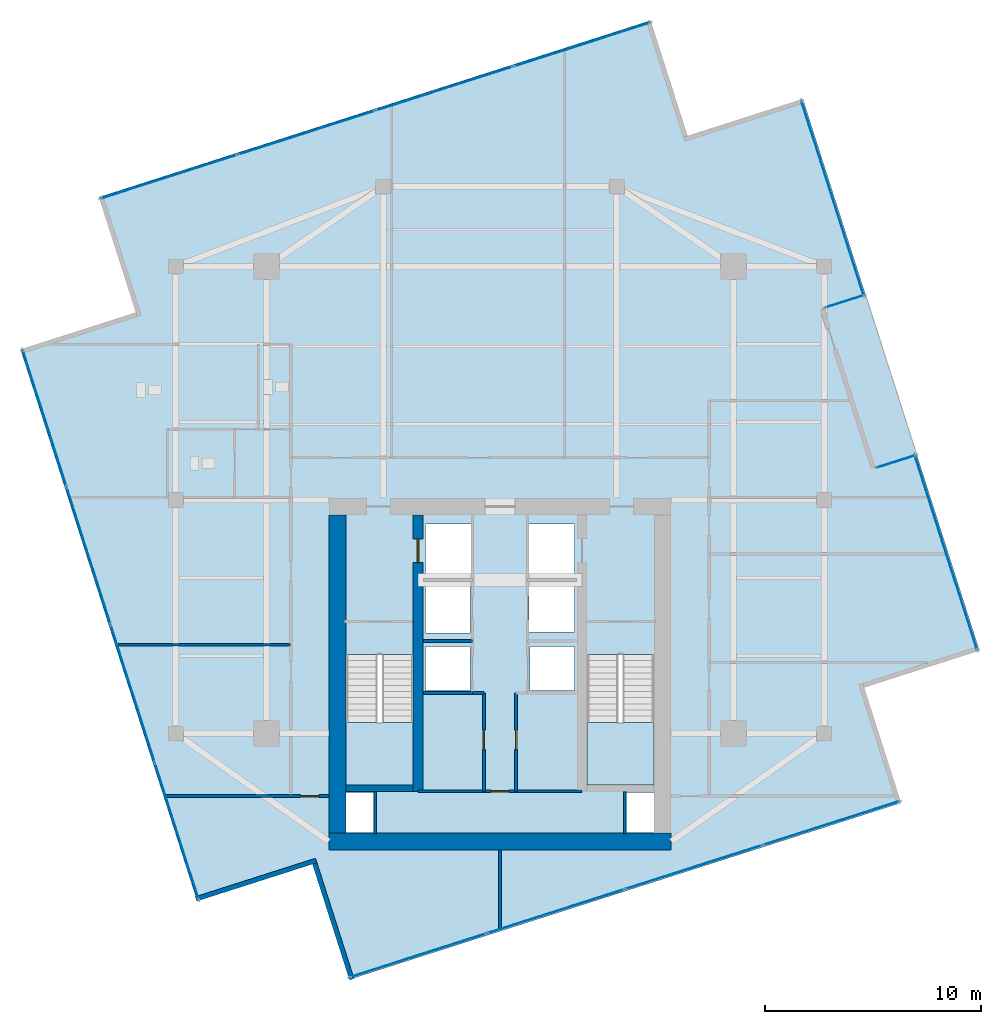
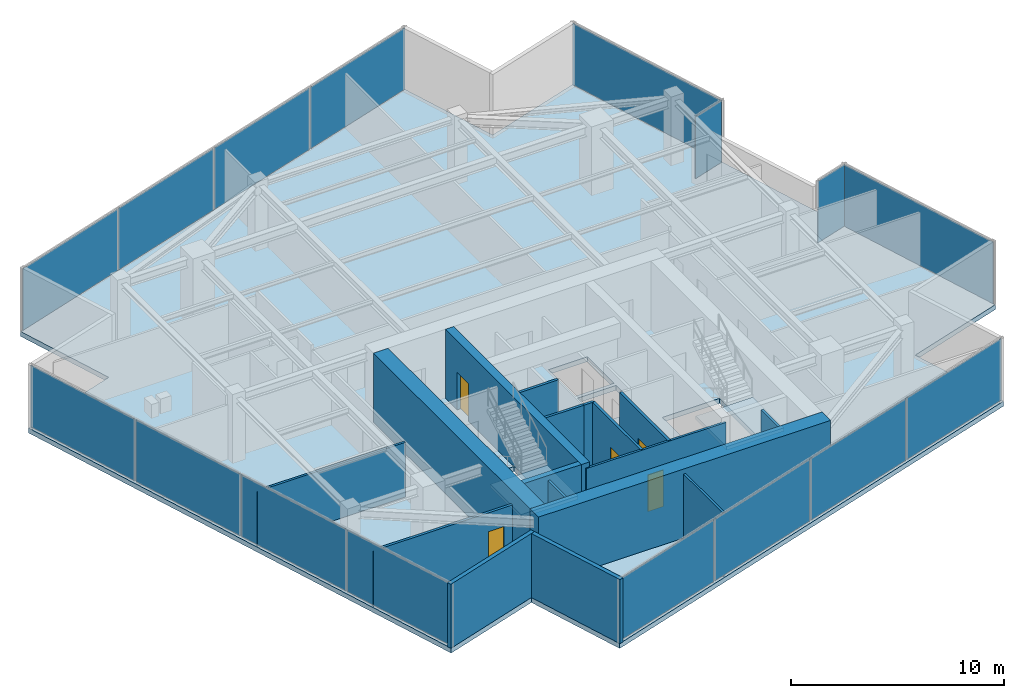
# One storey, part 17 of 21: 17 walls, 16 plates, 5 doors, 3 slabs, 5 openings, 9 elements without a shape of their own.
"""IFC4 building model written with IfcOpenShell, lengths in metres."""

from ifc_helpers import new_model, si_unit, direction, frame, frame_2d, origin, origin_2d, place, context, subcontext, project, spatial, polyline, rectangle, outline, extrude, source, transform, mapped, material, layer, layer_set, type_object, type_shapes, element, fill, aggregate, save


model = new_model("IFC4")

# Units and contexts
model_context = context("Model", 3, precision=1e-05, world=origin(), true_north=direction((0.0, 1.0)))
body_context = subcontext(model_context, "Body", "Model", "MODEL_VIEW")
ifc_project = project(units=[si_unit("LENGTHUNIT", "METRE"), si_unit("AREAUNIT", "SQUARE_METRE"), si_unit("VOLUMEUNIT", "CUBIC_METRE"), si_unit("PLANEANGLEUNIT", "RADIAN"), si_unit("MASSUNIT", "GRAM", prefix="KILO")], contexts=[model_context])

# Site, building, storey
site_placement = place(None, origin())
site = spatial("IfcSite", under=ifc_project, at=site_placement, CompositionType="ELEMENT")
building_placement = place(site_placement, origin())
building = spatial("IfcBuilding", under=site, at=building_placement, Name="Krantzveldt Concourse Tower", CompositionType="ELEMENT")
storey_placement = place(building_placement, frame((0.0, 0.0, 339.550048828125)))
storey = spatial("IfcBuildingStorey", under=building, at=storey_placement, Name="L83", CompositionType="ELEMENT", Elevation=339.550048828125)

# Stair, slab
ifc_material_1 = material(Name="Precast concrete C40/50", Category="concrete")
stair_type = type_object("IfcStairType", Name="STR-CORE-DOGLEG", PredefinedType="HALF_TURN_STAIR", material=ifc_material_1)
stair_1_placement = place(storey_placement, origin())
stair_1 = element("IfcStair", 1, at=stair_1_placement, inside=storey, type_object=stair_type, Name="L83 Protected Escape Stair ST-1", PredefinedType="HALF_TURN_STAIR")
ifc_layer_1 = layer(ifc_material_1, 0.199951171875, Name="Precast concrete C40/50", Category="concrete")
ifc_layer_set_1 = layer_set([ifc_layer_1], Name="Precast concrete C40/50 (SL-LANDING-200)")
slab_type_1 = type_object("IfcSlabType", Name="SL-LANDING-200", PredefinedType="LANDING", material=ifc_layer_set_1)
slab_1_placement = place(storey_placement, frame((0.0, 0.0, 1.77490234375)))
slab_1 = element("IfcSlab", 2, at=slab_1_placement, type_object=slab_type_1, Name="ST-1 landing 1", PredefinedType="LANDING", context=body_context, shape_type="SweptSolid", body=[
    extrude(outline(polyline([(28.8798828125, 16.4150390625), (28.8798828125, 13.52001953125), (31.97998046875, 13.52001953125), (31.97998046875, 16.4150390625), (28.8798828125, 16.4150390625)])), origin(), (0.0, 0.0, 1.0), 0.199951171875),
])
aggregate(stair_1, [slab_1])

stair_2_placement = place(storey_placement, origin())
stair_2 = element("IfcStair", 3, at=stair_2_placement, inside=storey, type_object=stair_type, Name="L83 Protected Escape Stair ST-2", PredefinedType="HALF_TURN_STAIR")
slab_2_placement = place(storey_placement, frame((0.0, 0.0, 1.77490234375)))
slab_2 = element("IfcSlab", 4, at=slab_2_placement, type_object=slab_type_1, Name="ST-2 landing 1", PredefinedType="LANDING", context=body_context, shape_type="SweptSolid", body=[
    extrude(outline(polyline([(40.02001953125, 16.4150390625), (40.02001953125, 13.52001953125), (43.1201171875, 13.52001953125), (43.1201171875, 16.4150390625), (40.02001953125, 16.4150390625)])), origin(), (0.0, 0.0, 1.0), 0.199951171875),
])
aggregate(stair_2, [slab_2])

# Slab
ifc_material_2 = material(Name="Concrete C40/50", Category="concrete")
ifc_layer_2 = layer(ifc_material_2, 0.280029296875, Name="Concrete C40/50", Category="concrete")
ifc_layer_set_2 = layer_set([ifc_layer_2], Name="Concrete C40/50 (SL-SL-TER280)")
slab_type_2 = type_object("IfcSlabType", Name="SL-SL-TER280", PredefinedType="FLOOR", material=ifc_layer_set_2)
slab_3_placement = place(storey_placement, frame((0.0, 0.0, -0.280029296875)))
element("IfcSlab", 5, at=slab_3_placement, inside=storey, type_object=slab_type_2, Name="SL-L83-MAIN", PredefinedType="FLOOR", context=body_context, shape_type="SweptSolid", body=[
    extrude(outline(polyline([(44.677001953125, 43.54736328125), (42.9697265625, 48.880615234375), (17.445556640625, 40.71044921875), (19.15283203125, 35.376953125), (13.8193359375, 33.669677734375), (21.98974609375, 8.1455078125), (27.322998046875, 9.852783203125), (29.0302734375, 4.519287109375), (54.554443359375, 12.689697265625), (52.84716796875, 18.023193359375), (58.1806640625, 19.730224609375), (50.01025390625, 45.254638671875), (44.677001953125, 43.54736328125)]), holes=[polyline([(28.8798828125, 19.547607421875), (28.8798828125, 13.52001953125), (31.97998046875, 13.52001953125), (31.97998046875, 19.547607421875), (28.8798828125, 19.547607421875)]), polyline([(40.02001953125, 19.547607421875), (40.02001953125, 13.52001953125), (43.1201171875, 13.52001953125), (43.1201171875, 19.547607421875), (40.02001953125, 19.547607421875)]), polyline([(32.550048828125, 23.10009765625), (34.64990234375, 23.10009765625), (34.64990234375, 25.60009765625), (32.550048828125, 25.60009765625), (32.550048828125, 23.10009765625)]), polyline([(37.35009765625, 23.10009765625), (39.449951171875, 23.10009765625), (39.449951171875, 25.60009765625), (37.35009765625, 25.60009765625), (37.35009765625, 23.10009765625)]), polyline([(37.35009765625, 20.60009765625), (39.449951171875, 20.60009765625), (39.449951171875, 22.89990234375), (37.35009765625, 22.89990234375), (37.35009765625, 20.60009765625)]), polyline([(32.550048828125, 20.550048828125), (34.6201171875, 20.550048828125), (34.6201171875, 22.89990234375), (32.550048828125, 22.89990234375), (32.550048828125, 20.550048828125)]), polyline([(32.550048828125, 17.8798828125), (34.6201171875, 17.8798828125), (34.6201171875, 19.919921875), (32.550048828125, 19.919921875), (32.550048828125, 17.8798828125)]), polyline([(37.3798828125, 17.8798828125), (39.449951171875, 17.8798828125), (39.449951171875, 19.919921875), (37.3798828125, 19.919921875), (37.3798828125, 17.8798828125)]), polyline([(28.8798828125, 11.320068359375), (30.139892578125, 11.320068359375), (30.139892578125, 13.159912109375), (28.8798828125, 13.159912109375), (28.8798828125, 11.320068359375)]), polyline([(41.860107421875, 11.320068359375), (43.1201171875, 11.320068359375), (43.1201171875, 13.159912109375), (41.860107421875, 13.159912109375), (41.860107421875, 11.320068359375)])]), origin(), (0.0, 0.0, 1.0), 0.280029296875),
])

# Curtain wall, plate
ifc_material_3 = material(Name="Anodised aluminium 6063-T6", Category="aluminium")
curtain_wall_type_1 = type_object("IfcCurtainWallType", Name="CW6", PredefinedType="USERDEFINED", material=ifc_material_3)
curtain_wall_1_placement = place(storey_placement, origin())
curtain_wall_1 = element("IfcCurtainWall", 6, at=curtain_wall_1_placement, inside=storey, type_object=curtain_wall_type_1, Name="CW-L83-TR11", ObjectType="UNITISED CURTAIN WALL", PredefinedType="USERDEFINED")
ifc_material_4 = material(Name="Bronze-tinted laminated low-E IGU glass", Category="glass")
ifc_layer_3 = layer(ifc_material_4, 0.031982421875, Name="Bronze-tinted laminated low-E IGU glass", Category="glass")
ifc_layer_set_3 = layer_set([ifc_layer_3], Name="Bronze-tinted laminated low-E IGU glass (CW-GLZ-32)")
plate_type = type_object("IfcPlateType", Name="CW-GLZ-32", PredefinedType="CURTAIN_PANEL", material=ifc_layer_set_3)
shared_shape_1 = source(origin(), body_context, "Body", "SweptSolid", [
    extrude(rectangle(XDim=1.860107421875, YDim=0.031982421875, at=origin_2d()), origin(), (0.0, 0.0, 1.0), 3.530029296875),
])
plate_1_placement = place(storey_placement, frame((54.3291015625, 28.482666015625, 0.06982421875), z_axis=(0.0, 0.0, 1.0), x_axis=(-0.952395521792, -0.304865167035, 0.0)))
plate_1 = element("IfcPlate", 7, at=plate_1_placement, type_object=plate_type, Name="CW-TERR panel 1.1", PredefinedType="CURTAIN_PANEL", context=body_context, shape_type="MappedRepresentation", body=[
    mapped(shared_shape_1, transform((0.0, 0.0, 0.0), x_axis=(1.0, 0.0, 0.0), y_axis=(0.0, 1.0, 0.0), z_axis=(0.0, 0.0, 1.0), scale=1.0)),
])
aggregate(curtain_wall_1, [plate_1])

curtain_wall_2_placement = place(storey_placement, origin())
curtain_wall_2 = element("IfcCurtainWall", 8, at=curtain_wall_2_placement, inside=storey, type_object=curtain_wall_type_1, Name="CW-L83-TR13", ObjectType="UNITISED CURTAIN WALL", PredefinedType="USERDEFINED")
plate_2_placement = place(storey_placement, frame((51.957275390625, 35.892333984375, 0.06982421875), z_axis=(0.0, 0.0, 1.0), x_axis=(0.952395986502, 0.304863715281, 0.0)))
plate_2 = element("IfcPlate", 9, at=plate_2_placement, type_object=plate_type, Name="CW-TERR panel 1.1", PredefinedType="CURTAIN_PANEL", context=body_context, shape_type="MappedRepresentation", body=[
    mapped(shared_shape_1, transform((0.0, 0.0, 0.0), x_axis=(1.0, 0.0, 0.0), y_axis=(0.0, 1.0, 0.0), z_axis=(0.0, 0.0, 1.0), scale=1.0)),
])
aggregate(curtain_wall_2, [plate_2])

# Curtain wall, plates
curtain_wall_type_2 = type_object("IfcCurtainWallType", Name="CW4", PredefinedType="USERDEFINED", material=ifc_material_3)
curtain_wall_3_placement = place(storey_placement, origin())
curtain_wall_3 = element("IfcCurtainWall", 10, at=curtain_wall_3_placement, inside=storey, type_object=curtain_wall_type_2, Name="CW-L83-F01", ObjectType="UNITISED CURTAIN WALL", PredefinedType="USERDEFINED")
shared_shape_2 = source(origin(), body_context, "Body", "SweptSolid", [
    extrude(rectangle(XDim=6.594970703125, YDim=0.031982421875, at=origin_2d()), origin(), (0.0, 0.0, 1.0), 3.530029296875),
])
plate_3_placement = place(storey_placement, frame((39.7900390625, 47.768310546875, 0.06982421875), z_axis=(0.0, 0.0, 1.0), x_axis=(-0.952395843376, -0.304864162408, 0.0)))
plate_3 = element("IfcPlate", 11, at=plate_3_placement, type_object=plate_type, Name="CW-Z56 panel 1.1", PredefinedType="CURTAIN_PANEL", context=body_context, shape_type="MappedRepresentation", body=[
    mapped(shared_shape_2, transform((0.0, 0.0, 0.0), x_axis=(1.0, 0.0, 0.0), y_axis=(0.0, 1.0, 0.0), z_axis=(0.0, 0.0, 1.0), scale=1.0)),
])
plate_4_placement = place(storey_placement, frame((20.68017578125, 41.6513671875, 0.06982421875), z_axis=(0.0, 0.0, 1.0), x_axis=(-0.952395843376, -0.304864162408, 0.0)))
plate_4 = element("IfcPlate", 12, at=plate_4_placement, type_object=plate_type, Name="CW-Z56 panel 4.1", PredefinedType="CURTAIN_PANEL", context=body_context, shape_type="MappedRepresentation", body=[
    mapped(shared_shape_2, transform((0.0, 0.0, 0.0), x_axis=(1.0, 0.0, 0.0), y_axis=(0.0, 1.0, 0.0), z_axis=(0.0, 0.0, 1.0), scale=1.0)),
])

curtain_wall_4_placement = place(storey_placement, origin())
curtain_wall_4 = element("IfcCurtainWall", 13, at=curtain_wall_4_placement, inside=storey, type_object=curtain_wall_type_2, Name="CW-L83-F04", ObjectType="UNITISED CURTAIN WALL", PredefinedType="USERDEFINED")
plate_5_placement = place(storey_placement, frame((14.931640625, 30.489990234375, 0.06982421875), z_axis=(0.0, 0.0, 1.0), x_axis=(0.304864162408, -0.952395843376, 0.0)))
plate_5 = element("IfcPlate", 14, at=plate_5_placement, type_object=plate_type, Name="CW-Z56 panel 1.1", PredefinedType="CURTAIN_PANEL", context=body_context, shape_type="MappedRepresentation", body=[
    mapped(shared_shape_2, transform((0.0, 0.0, 0.0), x_axis=(1.0, 0.0, 0.0), y_axis=(0.0, 1.0, 0.0), z_axis=(0.0, 0.0, 1.0), scale=1.0)),
])
plate_6_placement = place(storey_placement, frame((21.048828125, 11.380126953125, 0.06982421875), z_axis=(0.0, 0.0, 1.0), x_axis=(0.304864162408, -0.952395843376, 0.0)))
plate_6 = element("IfcPlate", 15, at=plate_6_placement, type_object=plate_type, Name="CW-Z56 panel 4.1", PredefinedType="CURTAIN_PANEL", context=body_context, shape_type="MappedRepresentation", body=[
    mapped(shared_shape_2, transform((0.0, 0.0, 0.0), x_axis=(1.0, 0.0, 0.0), y_axis=(0.0, 1.0, 0.0), z_axis=(0.0, 0.0, 1.0), scale=1.0)),
])

curtain_wall_5_placement = place(storey_placement, origin())
curtain_wall_5 = element("IfcCurtainWall", 16, at=curtain_wall_5_placement, inside=storey, type_object=curtain_wall_type_2, Name="CW-L83-F07", ObjectType="UNITISED CURTAIN WALL", PredefinedType="USERDEFINED")
plate_7_placement = place(storey_placement, frame((32.2099609375, 5.631591796875, 0.06982421875), z_axis=(0.0, 0.0, 1.0), x_axis=(0.952395843376, 0.304864162408, 0.0)))
plate_7 = element("IfcPlate", 17, at=plate_7_placement, type_object=plate_type, Name="CW-Z56 panel 1.1", PredefinedType="CURTAIN_PANEL", context=body_context, shape_type="MappedRepresentation", body=[
    mapped(shared_shape_2, transform((0.0, 0.0, 0.0), x_axis=(1.0, 0.0, 0.0), y_axis=(0.0, 1.0, 0.0), z_axis=(0.0, 0.0, 1.0), scale=1.0)),
])
plate_8_placement = place(storey_placement, frame((51.31982421875, 11.748779296875, 0.06982421875), z_axis=(0.0, 0.0, 1.0), x_axis=(0.952395843376, 0.304864162408, 0.0)))
plate_8 = element("IfcPlate", 18, at=plate_8_placement, type_object=plate_type, Name="CW-Z56 panel 4.1", PredefinedType="CURTAIN_PANEL", context=body_context, shape_type="MappedRepresentation", body=[
    mapped(shared_shape_2, transform((0.0, 0.0, 0.0), x_axis=(1.0, 0.0, 0.0), y_axis=(0.0, 1.0, 0.0), z_axis=(0.0, 0.0, 1.0), scale=1.0)),
])

# Plate
shared_shape_3 = source(origin(), body_context, "Body", "SweptSolid", [
    extrude(rectangle(XDim=6.6298828125, YDim=0.031982421875, at=origin_2d()), origin(), (0.0, 0.0, 1.0), 3.530029296875),
])
plate_9_placement = place(storey_placement, frame((33.425537109375, 45.731201171875, 0.06982421875), z_axis=(0.0, 0.0, 1.0), x_axis=(-0.952395843376, -0.304864162408, 0.0)))
plate_9 = element("IfcPlate", 19, at=plate_9_placement, type_object=plate_type, Name="CW-Z56 panel 2.1", PredefinedType="CURTAIN_PANEL", context=body_context, shape_type="MappedRepresentation", body=[
    mapped(shared_shape_3, transform((0.0, 0.0, 0.0), x_axis=(1.0, 0.0, 0.0), y_axis=(0.0, 1.0, 0.0), z_axis=(0.0, 0.0, 1.0), scale=1.0)),
])

plate_10_placement = place(storey_placement, frame((27.04443359375, 43.6884765625, 0.06982421875), z_axis=(0.0, 0.0, 1.0), x_axis=(-0.952395843376, -0.304864162408, 0.0)))
plate_10 = element("IfcPlate", 20, at=plate_10_placement, type_object=plate_type, Name="CW-Z56 panel 3.1", PredefinedType="CURTAIN_PANEL", context=body_context, shape_type="MappedRepresentation", body=[
    mapped(shared_shape_3, transform((0.0, 0.0, 0.0), x_axis=(1.0, 0.0, 0.0), y_axis=(0.0, 1.0, 0.0), z_axis=(0.0, 0.0, 1.0), scale=1.0)),
])

aggregate(curtain_wall_3, [plate_3, plate_9, plate_10, plate_4])

plate_11_placement = place(storey_placement, frame((16.968994140625, 24.12548828125, 0.06982421875), z_axis=(0.0, 0.0, 1.0), x_axis=(0.304864162408, -0.952395843376, 0.0)))
plate_11 = element("IfcPlate", 21, at=plate_11_placement, type_object=plate_type, Name="CW-Z56 panel 2.1", PredefinedType="CURTAIN_PANEL", context=body_context, shape_type="MappedRepresentation", body=[
    mapped(shared_shape_3, transform((0.0, 0.0, 0.0), x_axis=(1.0, 0.0, 0.0), y_axis=(0.0, 1.0, 0.0), z_axis=(0.0, 0.0, 1.0), scale=1.0)),
])

plate_12_placement = place(storey_placement, frame((19.011474609375, 17.744384765625, 0.06982421875), z_axis=(0.0, 0.0, 1.0), x_axis=(0.304864162408, -0.952395843376, 0.0)))
plate_12 = element("IfcPlate", 22, at=plate_12_placement, type_object=plate_type, Name="CW-Z56 panel 3.1", PredefinedType="CURTAIN_PANEL", context=body_context, shape_type="MappedRepresentation", body=[
    mapped(shared_shape_3, transform((0.0, 0.0, 0.0), x_axis=(1.0, 0.0, 0.0), y_axis=(0.0, 1.0, 0.0), z_axis=(0.0, 0.0, 1.0), scale=1.0)),
])

aggregate(curtain_wall_4, [plate_5, plate_11, plate_12, plate_6])

plate_13_placement = place(storey_placement, frame((38.574462890625, 7.6689453125, 0.06982421875), z_axis=(0.0, 0.0, 1.0), x_axis=(0.952395843376, 0.304864162408, 0.0)))
plate_13 = element("IfcPlate", 23, at=plate_13_placement, type_object=plate_type, Name="CW-Z56 panel 2.1", PredefinedType="CURTAIN_PANEL", context=body_context, shape_type="MappedRepresentation", body=[
    mapped(shared_shape_3, transform((0.0, 0.0, 0.0), x_axis=(1.0, 0.0, 0.0), y_axis=(0.0, 1.0, 0.0), z_axis=(0.0, 0.0, 1.0), scale=1.0)),
])

plate_14_placement = place(storey_placement, frame((44.95556640625, 9.71142578125, 0.06982421875), z_axis=(0.0, 0.0, 1.0), x_axis=(0.952395843376, 0.304864162408, 0.0)))
plate_14 = element("IfcPlate", 24, at=plate_14_placement, type_object=plate_type, Name="CW-Z56 panel 3.1", PredefinedType="CURTAIN_PANEL", context=body_context, shape_type="MappedRepresentation", body=[
    mapped(shared_shape_3, transform((0.0, 0.0, 0.0), x_axis=(1.0, 0.0, 0.0), y_axis=(0.0, 1.0, 0.0), z_axis=(0.0, 0.0, 1.0), scale=1.0)),
])

aggregate(curtain_wall_5, [plate_7, plate_13, plate_14, plate_8])

# Curtain wall, plate
curtain_wall_6_placement = place(storey_placement, origin())
curtain_wall_6 = element("IfcCurtainWall", 25, at=curtain_wall_6_placement, inside=storey, type_object=curtain_wall_type_2, Name="CW-L83-F10", ObjectType="UNITISED CURTAIN WALL", PredefinedType="USERDEFINED")
shared_shape_4 = source(origin(), body_context, "Body", "SweptSolid", [
    extrude(rectangle(XDim=9.4599609375, YDim=0.031982421875, at=origin_2d()), origin(), (0.0, 0.0, 1.0), 3.530029296875),
])
type_shapes(plate_type, [shared_shape_1, shared_shape_2, shared_shape_3, shared_shape_4])
plate_15_placement = place(storey_placement, frame((56.631591796875, 24.2744140625, 0.06982421875), z_axis=(0.0, 0.0, 1.0), x_axis=(-0.304864547135, 0.952395720224, 0.0)))
plate_15 = element("IfcPlate", 26, at=plate_15_placement, type_object=plate_type, Name="CW-Z56 panel 1.1", PredefinedType="CURTAIN_PANEL", context=body_context, shape_type="MappedRepresentation", body=[
    mapped(shared_shape_4, transform((0.0, 0.0, 0.0), x_axis=(1.0, 0.0, 0.0), y_axis=(0.0, 1.0, 0.0), z_axis=(0.0, 0.0, 1.0), scale=1.0)),
])
aggregate(curtain_wall_6, [plate_15])

curtain_wall_7_placement = place(storey_placement, origin())
curtain_wall_7 = element("IfcCurtainWall", 27, at=curtain_wall_7_placement, inside=storey, type_object=curtain_wall_type_2, Name="CW-L83-F14", ObjectType="UNITISED CURTAIN WALL", PredefinedType="USERDEFINED")
plate_16_placement = place(storey_placement, frame((51.387939453125, 40.655517578125, 0.06982421875), z_axis=(0.0, 0.0, 1.0), x_axis=(-0.304864547135, 0.952395720224, 0.0)))
plate_16 = element("IfcPlate", 28, at=plate_16_placement, type_object=plate_type, Name="CW-Z56 panel 1.1", PredefinedType="CURTAIN_PANEL", context=body_context, shape_type="MappedRepresentation", body=[
    mapped(shared_shape_4, transform((0.0, 0.0, 0.0), x_axis=(1.0, 0.0, 0.0), y_axis=(0.0, 1.0, 0.0), z_axis=(0.0, 0.0, 1.0), scale=1.0)),
])
aggregate(curtain_wall_7, [plate_16])

# Walls
ifc_layer_4 = layer(ifc_material_3, 0.219970703125, Name="Anodised aluminium 6063-T6", Category="aluminium")
ifc_layer_set_4 = layer_set([ifc_layer_4], Name="Anodised aluminium 6063-T6 (WL-EXT-NOTCH220)")
wall_type_1 = type_object("IfcWallType", Name="WL-EXT-NOTCH220", PredefinedType="ELEMENTEDWALL", material=ifc_layer_set_4)
wall_1_placement = place(storey_placement, frame((21.932373046875, 8.24267578125, 0.0), z_axis=(0.0, 0.0, 1.0), x_axis=(0.952391647481, 0.304877270074, 0.0)))
element("IfcWall", 29, at=wall_1_placement, inside=storey, type_object=wall_type_1, Name="EW-L83-NCH05", PredefinedType="ELEMENTEDWALL", context=body_context, shape_type="SweptSolid", body=[
    extrude(rectangle(XDim=5.844970703125, YDim=0.219970703125, at=frame_2d((2.92236328125, 0.0))), origin(), (0.0, 0.0, 1.0), 3.669921875),
])
wall_2_placement = place(storey_placement, frame((27.427734375, 9.88623046875, 0.0), z_axis=(0.0, 0.0, 1.0), x_axis=(0.304903286447, -0.952383318792, 0.0)))
element("IfcWall", 30, at=wall_2_placement, inside=storey, type_object=wall_type_1, Name="EW-L83-NCH06", PredefinedType="ELEMENTEDWALL", context=body_context, shape_type="SweptSolid", body=[
    extrude(rectangle(XDim=5.625, YDim=0.219970703125, at=frame_2d((2.8125, 0.0))), origin(), (0.0, 0.0, 1.0), 3.669921875),
])

# Wall, opening, door
ifc_material_5 = material(Name="Fire-rated gypsum plasterboard on steel stud", Category="steel")
ifc_layer_5 = layer(ifc_material_5, 0.1201171875, Name="Fire-rated gypsum plasterboard on steel stud", Category="steel")
ifc_layer_set_5 = layer_set([ifc_layer_5], Name="Fire-rated gypsum plasterboard on steel stud (WL-PART-120)")
wall_type_2 = type_object("IfcWallType", Name="WL-PART-120", PredefinedType="PARTITIONING", material=ifc_layer_set_5)
wall_3_placement = place(storey_placement, frame((32.2099609375, 13.219970703125, 0.0), z_axis=(0.0, 0.0, 1.0), x_axis=(1.0, 0.0, 0.0)))
wall_3 = element("IfcWall", 31, at=wall_3_placement, inside=storey, type_object=wall_type_2, Name="WP-L83-CS2H", PredefinedType="PARTITIONING", context=body_context, shape_type="SweptSolid", body=[
    extrude(rectangle(XDim=7.580078125, YDim=0.1201171875, at=frame_2d((3.7900390625, 0.0))), origin(), (0.0, 0.0, 1.0), 3.669921875),
])
opening_1_placement = place(wall_3_placement, frame((3.364990234375, 0.0, 0.0)))
opening_1 = element("IfcOpeningElement", 32, at=opening_1_placement, cuts=wall_3, Name="Opening D-IN085", PredefinedType="OPENING", context=body_context, shape_type="SweptSolid", body=[
    extrude(rectangle(XDim=0.85009765625, YDim=2.10009765625, at=frame_2d((0.425048828125, 1.050048828125))), frame((0.0, 0.070068359375, 0.0), z_axis=(0.0, -1.0, 0.0), x_axis=(1.0, 0.0, 0.0)), (0.0, 0.0, 1.0), 0.14013671875),
])
ifc_material_6 = material(Name="Hardwood timber", Category="wood")
door_type_1 = type_object("IfcDoorType", Name="DR-INT-850", OperationType="SINGLE_SWING_LEFT", PredefinedType="DOOR", material=ifc_material_6)
door_1_placement = place(opening_1_placement, origin())
door_1 = element("IfcDoor", 33, at=door_1_placement, inside=storey, type_object=door_type_1, Name="DR-L83-CSC1", OperationType="SINGLE_SWING_RIGHT", OverallHeight=2.10009765625, OverallWidth=0.85009765625, PredefinedType="DOOR", context=body_context, shape_type="SweptSolid", body=[
    extrude(rectangle(XDim=0.85009765625, YDim=2.10009765625, at=frame_2d((0.425048828125, 1.050048828125))), frame((0.0, 0.02490234375, 0.0), z_axis=(0.0, -1.0, 0.0), x_axis=(1.0, 0.0, 0.0)), (0.0, 0.0, 1.0), 0.050048828125),
])
fill(opening_1, door_1)

# Walls
wall_4_placement = place(storey_placement, frame((18.28955078125, 20.0, 0.0), z_axis=(0.0, 0.0, 1.0), x_axis=(1.0, 0.0, 0.0)))
element("IfcWall", 34, at=wall_4_placement, inside=storey, type_object=wall_type_2, Name="WP-L83-WD1", PredefinedType="PARTITIONING", context=body_context, shape_type="SweptSolid", body=[
    extrude(rectangle(XDim=8.030517578125, YDim=0.1201171875, at=frame_2d((4.01513671875, 0.0))), origin(), (0.0, 0.0, 1.0), 3.1298828125),
])
wall_5_placement = place(storey_placement, frame((36.0, 6.8447265625, 0.0), z_axis=(0.0, 0.0, 1.0), x_axis=(0.0, 1.0, 0.0)))
element("IfcWall", 35, at=wall_5_placement, inside=storey, type_object=wall_type_2, Name="WP-L83-SSMD", PredefinedType="PARTITIONING", context=body_context, shape_type="SweptSolid", body=[
    extrude(rectangle(XDim=3.6552734375, YDim=0.1201171875, at=frame_2d((1.82763671875, 0.0))), origin(), (0.0, 0.0, 1.0), 3.669921875),
])

# Wall, opening, door
ifc_layer_6 = layer(ifc_material_5, 0.139892578125, Name="Fire-rated gypsum plasterboard on steel stud", Category="steel")
ifc_layer_set_6 = layer_set([ifc_layer_6], Name="Fire-rated gypsum plasterboard on steel stud (WL-PART-140)")
wall_type_3 = type_object("IfcWallType", Name="WL-PART-140", PredefinedType="PARTITIONING", material=ifc_layer_set_6)
wall_6_placement = place(storey_placement, frame((20.5302734375, 13.0, 0.0), z_axis=(0.0, 0.0, 1.0), x_axis=(1.0, 0.0, 0.0)))
wall_6 = element("IfcWall", 36, at=wall_6_placement, inside=storey, type_object=wall_type_3, Name="WP-L83-CSBOTW", PredefinedType="PARTITIONING", context=body_context, shape_type="SweptSolid", body=[
    extrude(rectangle(XDim=7.5498046875, YDim=0.139892578125, at=frame_2d((3.77490234375, 0.0))), origin(), (0.0, 0.0, 1.0), 3.179931640625),
])
opening_2_placement = place(wall_6_placement, frame((6.244873046875, 0.0, 0.0)))
opening_2 = element("IfcOpeningElement", 37, at=opening_2_placement, cuts=wall_6, Name="Opening D-IN085", PredefinedType="OPENING", context=body_context, shape_type="SweptSolid", body=[
    extrude(rectangle(XDim=0.85009765625, YDim=2.10009765625, at=frame_2d((0.425048828125, 1.050048828125))), frame((0.0, 0.080078125, 0.0), z_axis=(0.0, -1.0, 0.0), x_axis=(1.0, 0.0, 0.0)), (0.0, 0.0, 1.0), 0.159912109375),
])
door_2_placement = place(opening_2_placement, origin())
door_2 = element("IfcDoor", 38, at=door_2_placement, inside=storey, type_object=door_type_1, Name="DR-L83-SR1", OperationType="SINGLE_SWING_LEFT", OverallHeight=2.10009765625, OverallWidth=0.85009765625, PredefinedType="DOOR", context=body_context, shape_type="SweptSolid", body=[
    extrude(rectangle(XDim=0.85009765625, YDim=2.10009765625, at=frame_2d((0.425048828125, 1.050048828125))), frame((0.0, 0.02490234375, 0.0), z_axis=(0.0, -1.0, 0.0), x_axis=(1.0, 0.0, 0.0)), (0.0, 0.0, 1.0), 0.050048828125),
])
fill(opening_2, door_2)

# Walls
ifc_layer_7 = layer(ifc_material_5, 0.139892578125, Name="Fire-rated gypsum plasterboard on steel stud", Category="steel")
ifc_layer_set_7 = layer_set([ifc_layer_7], Name="Fire-rated gypsum plasterboard on steel stud (WL-PART-FR140)")
wall_type_4 = type_object("IfcWallType", Name="WL-PART-FR140", PredefinedType="PARTITIONING", material=ifc_layer_set_7)
for number, where, z_axis, x_axis, name in (
    (39, (32.449951171875, 17.780029296875, 0.0), (0.0, 0.0, 1.0), (1.0, 0.0, 0.0), "WP-L83-DIVW2"),
    (40, (32.449951171875, 20.179931640625, 0.0), (0.0, 0.0, 1.0), (1.0, 0.0, 0.0), "WP-L83-DIVW3"),
):
    element("IfcWall", number, at=place(storey_placement, frame(where, z_axis=z_axis, x_axis=x_axis)), inside=storey, type_object=wall_type_4, Name=name, PredefinedType="PARTITIONING", context=body_context, shape_type="SweptSolid", body=[
        extrude(rectangle(XDim=2.27001953125, YDim=0.139892578125, at=frame_2d((1.135009765625, 0.0))), origin(), (0.0, 0.0, 1.0), 3.669921875),
    ])

# Wall, opening, door
wall_7_placement = place(storey_placement, frame((35.25, 13.219970703125, 0.0), z_axis=(0.0, 0.0, 1.0), x_axis=(0.0, 1.0, 0.0)))
wall_7 = element("IfcWall", 41, at=wall_7_placement, inside=storey, type_object=wall_type_4, Name="WP-L83-RECW", PredefinedType="PARTITIONING", context=body_context, shape_type="SweptSolid", body=[
    extrude(rectangle(XDim=4.56005859375, YDim=0.139892578125, at=frame_2d((2.280029296875, 0.0))), origin(), (0.0, 0.0, 1.0), 3.669921875),
])
opening_3_placement = place(wall_7_placement, frame((1.929931640625, 0.0, 0.0)))
opening_3 = element("IfcOpeningElement", 42, at=opening_3_placement, cuts=wall_7, Name="Opening D-FD090", PredefinedType="OPENING", context=body_context, shape_type="SweptSolid", body=[
    extrude(rectangle(XDim=0.89990234375, YDim=2.10009765625, at=frame_2d((0.449951171875, 1.050048828125))), frame((0.0, 0.080078125, 0.0), z_axis=(0.0, -1.0, 0.0), x_axis=(1.0, 0.0, 0.0)), (0.0, 0.0, 1.0), 0.159912109375),
])
door_type_2 = type_object("IfcDoorType", Name="DR-FD60-900", OperationType="SINGLE_SWING_LEFT", PredefinedType="DOOR", material=ifc_material_6)
door_3_placement = place(opening_3_placement, origin())
door_3 = element("IfcDoor", 43, at=door_3_placement, inside=storey, type_object=door_type_2, Name="DR-L83-RECW", OperationType="SINGLE_SWING_LEFT", OverallHeight=2.10009765625, OverallWidth=0.89990234375, PredefinedType="DOOR", context=body_context, shape_type="SweptSolid", body=[
    extrude(rectangle(XDim=0.89990234375, YDim=2.10009765625, at=frame_2d((0.449951171875, 1.050048828125))), frame((0.0, 0.02490234375, 0.0), z_axis=(0.0, -1.0, 0.0), x_axis=(1.0, 0.0, 0.0)), (0.0, 0.0, 1.0), 0.050048828125),
])
fill(opening_3, door_3)

# Wall
wall_8_placement = place(storey_placement, frame((34.719970703125, 17.780029296875, 0.0), z_axis=(0.0, 0.0, 1.0), x_axis=(1.0, 0.0, 0.0)))
element("IfcWall", 44, at=wall_8_placement, inside=storey, type_object=wall_type_4, Name="WP-L83-RECWN", PredefinedType="PARTITIONING", context=body_context, shape_type="SweptSolid", body=[
    extrude(rectangle(XDim=0.530029296875, YDim=0.139892578125, at=frame_2d((0.26513671875, 0.0))), origin(), (0.0, 0.0, 1.0), 3.669921875),
])

# Wall, opening, door
wall_9_placement = place(storey_placement, frame((36.75, 13.219970703125, 0.0), z_axis=(0.0, 0.0, 1.0), x_axis=(0.0, 1.0, 0.0)))
wall_9 = element("IfcWall", 45, at=wall_9_placement, inside=storey, type_object=wall_type_4, Name="WP-L83-RECE", PredefinedType="PARTITIONING", context=body_context, shape_type="SweptSolid", body=[
    extrude(rectangle(XDim=4.56005859375, YDim=0.139892578125, at=frame_2d((2.280029296875, 0.0))), origin(), (0.0, 0.0, 1.0), 3.669921875),
])
opening_4_placement = place(wall_9_placement, frame((1.929931640625, 0.0, 0.0)))
opening_4 = element("IfcOpeningElement", 46, at=opening_4_placement, cuts=wall_9, Name="Opening D-FD090", PredefinedType="OPENING", context=body_context, shape_type="SweptSolid", body=[
    extrude(rectangle(XDim=0.89990234375, YDim=2.10009765625, at=frame_2d((0.449951171875, 1.050048828125))), frame((0.0, 0.080078125, 0.0), z_axis=(0.0, -1.0, 0.0), x_axis=(1.0, 0.0, 0.0)), (0.0, 0.0, 1.0), 0.159912109375),
])
door_4_placement = place(opening_4_placement, origin())
door_4 = element("IfcDoor", 47, at=door_4_placement, inside=storey, type_object=door_type_2, Name="DR-L83-RECE", OperationType="SINGLE_SWING_RIGHT", OverallHeight=2.10009765625, OverallWidth=0.89990234375, PredefinedType="DOOR", context=body_context, shape_type="SweptSolid", body=[
    extrude(rectangle(XDim=0.89990234375, YDim=2.10009765625, at=frame_2d((0.449951171875, 1.050048828125))), frame((0.0, 0.02490234375, 0.0), z_axis=(0.0, -1.0, 0.0), x_axis=(1.0, 0.0, 0.0)), (0.0, 0.0, 1.0), 0.050048828125),
])
fill(opening_4, door_4)

# Walls
for number, where, z_axis, x_axis, name in (
    (48, (30.219970703125, 11.25, 0.0), (0.0, 0.0, 1.0), (0.0, 1.0, 0.0), "WP-L83-RSW"),
    (49, (41.780029296875, 11.25, 0.0), (0.0, 0.0, 1.0), (0.0, 1.0, 0.0), "WP-L83-RSE"),
):
    element("IfcWall", number, at=place(storey_placement, frame(where, z_axis=z_axis, x_axis=x_axis)), inside=storey, type_object=wall_type_4, Name=name, PredefinedType="PARTITIONING", context=body_context, shape_type="SweptSolid", body=[
        extrude(rectangle(XDim=1.969970703125, YDim=0.1201171875, at=frame_2d((0.98486328125, 0.0))), origin(), (0.0, 0.0, 1.0), 3.669921875),
    ])
ifc_material_7 = material(Name="Concrete C50/60", Category="concrete")
ifc_layer_8 = layer(ifc_material_7, 0.300048828125, Name="Concrete C50/60", Category="concrete")
ifc_layer_set_8 = layer_set([ifc_layer_8], Name="Concrete C50/60 (WL-SHEAR-300)")
wall_type_5 = type_object("IfcWallType", Name="WL-SHEAR-300", PredefinedType="SHEAR", material=ifc_layer_set_8)
wall_10_placement = place(storey_placement, frame((28.8798828125, 13.3701171875, 0.0), z_axis=(0.0, 0.0, 1.0), x_axis=(1.0, 0.0, 0.0)))
element("IfcWall", 50, at=wall_10_placement, inside=storey, type_object=wall_type_5, Name="CW-L83-ST1S", PredefinedType="SHEAR", context=body_context, shape_type="SweptSolid", body=[
    extrude(rectangle(XDim=3.10009765625, YDim=0.300048828125, at=frame_2d((1.550048828125, 0.0))), origin(), (0.0, 0.0, 1.0), 3.949951171875),
])

# Wall, opening, door
ifc_layer_9 = layer(ifc_material_7, 0.449951171875, Name="Concrete C50/60", Category="concrete")
ifc_layer_set_9 = layer_set([ifc_layer_9], Name="Concrete C50/60 (WL-SHEAR-450)")
wall_type_6 = type_object("IfcWallType", Name="WL-SHEAR-450", PredefinedType="SHEAR", material=ifc_layer_set_9)
wall_11_placement = place(storey_placement, frame((32.205078125, 13.219970703125, 0.0), z_axis=(0.0, 0.0, 1.0), x_axis=(0.0, 1.0, 0.0)))
wall_11 = element("IfcWall", 51, at=wall_11_placement, inside=storey, type_object=wall_type_6, Name="CW-L83-IW", PredefinedType="SHEAR", context=body_context, shape_type="SweptSolid", body=[
    extrude(rectangle(XDim=12.780029296875, YDim=0.449951171875, at=frame_2d((6.39013671875, 0.0))), origin(), (0.0, 0.0, 1.0), 3.949951171875),
])
opening_5_placement = place(wall_11_placement, frame((10.580078125, 0.0, 0.0)))
opening_5 = element("IfcOpeningElement", 52, at=opening_5_placement, cuts=wall_11, Name="Opening LD", PredefinedType="OPENING", context=body_context, shape_type="SweptSolid", body=[
    extrude(rectangle(XDim=1.10009765625, YDim=2.14990234375, at=frame_2d((0.550048828125, 1.074951171875))), frame((0.0, 0.23486328125, 0.0), z_axis=(0.0, -1.0, 0.0), x_axis=(1.0, 0.0, 0.0)), (0.0, 0.0, 1.0), 0.469970703125),
])
ifc_material_8 = material(Name="Stainless steel 316L", Category="steel")
door_type_3 = type_object("IfcDoorType", Name="DR-SLIDE-LD1100", OperationType="DOUBLE_DOOR_SLIDING", PredefinedType="DOOR", material=ifc_material_8)
door_5_placement = place(opening_5_placement, origin())
door_5 = element("IfcDoor", 53, at=door_5_placement, inside=storey, type_object=door_type_3, Name="LD-L83-FL1", OperationType="DOUBLE_DOOR_SLIDING", OverallHeight=2.14990234375, OverallWidth=1.10009765625, PredefinedType="DOOR", context=body_context, shape_type="SweptSolid", body=[
    extrude(rectangle(XDim=1.10009765625, YDim=2.14990234375, at=frame_2d((0.550048828125, 1.074951171875))), frame((0.0, 0.02490234375, 0.0), z_axis=(0.0, -1.0, 0.0), x_axis=(1.0, 0.0, 0.0)), (0.0, 0.0, 1.0), 0.050048828125),
])
fill(opening_5, door_5)

# Walls
ifc_material_9 = material(Name="Concrete C60/75", Category="concrete")
ifc_layer_10 = layer(ifc_material_9, 0.800048828125, Name="Concrete C60/75", Category="concrete")
ifc_layer_set_10 = layer_set([ifc_layer_10], Name="Concrete C60/75 (WL-SHEAR-800)")
wall_type_7 = type_object("IfcWallType", Name="WL-SHEAR-800", PredefinedType="SHEAR", material=ifc_layer_set_10)
wall_12_placement = place(storey_placement, frame((28.080078125, 10.89990234375, 0.0), z_axis=(0.0, 0.0, 1.0), x_axis=(1.0, 0.0, 0.0)))
element("IfcWall", 54, at=wall_12_placement, inside=storey, type_object=wall_type_7, Name="CW-L83-S", PredefinedType="SHEAR", context=body_context, shape_type="SweptSolid", body=[
    extrude(rectangle(XDim=15.83984375, YDim=0.800048828125, at=frame_2d((7.919921875, 0.0))), origin(), (0.0, 0.0, 1.0), 3.949951171875),
])
wall_13_placement = place(storey_placement, frame((28.47998046875, 11.300048828125, 0.0), z_axis=(0.0, 0.0, 1.0), x_axis=(0.0, 1.0, 0.0)))
element("IfcWall", 55, at=wall_13_placement, inside=storey, type_object=wall_type_7, Name="CW-L83-W", PredefinedType="SHEAR", context=body_context, shape_type="SweptSolid", body=[
    extrude(rectangle(XDim=14.699951171875, YDim=0.800048828125, at=frame_2d((7.35009765625, 0.0))), origin(), (0.0, 0.0, 1.0), 3.949951171875),
])

save(model, "model.ifc")
